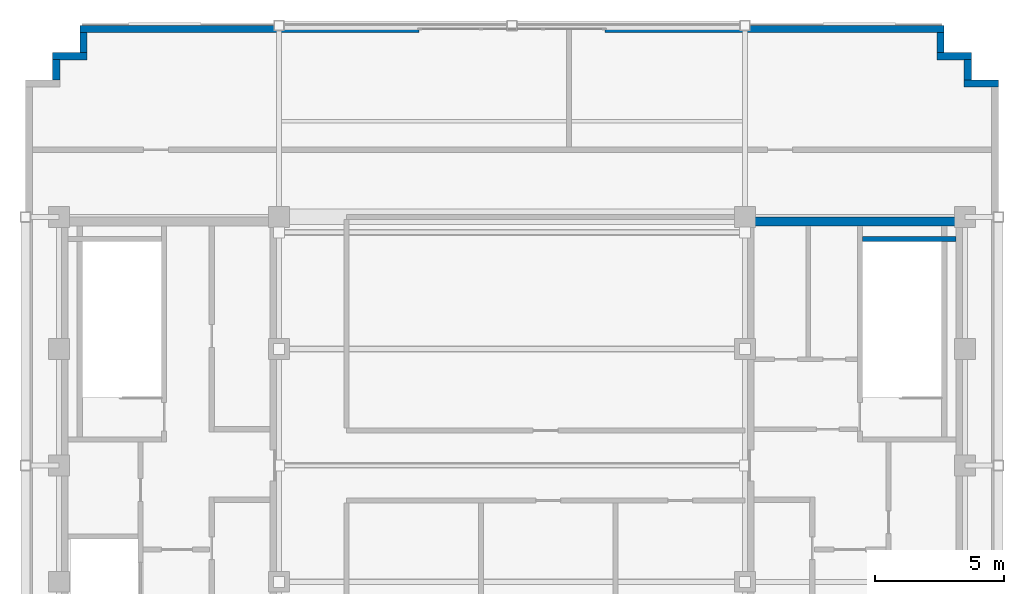
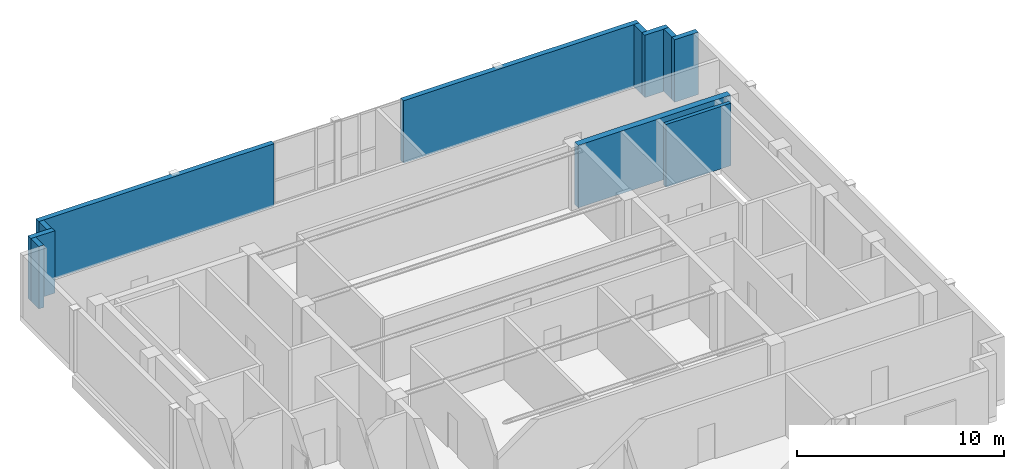
# One storey, part 4 of 7: 11 walls.
"""IFC4 building model written with IfcOpenShell, lengths in metres."""

import ifcopenshell
import ifcopenshell.guid

model = None  # the IFC model being written
_history = None  # IfcOwnerHistory: only IFC2X3 demands one
_inside = {}  # id of a spatial element -> (the spatial element, [elements in it])
_under = {}  # id of a project, library or spatial element -> (it, [spatial elements below it])
_declared = {}  # id of a project -> (the project, [libraries it declares])
_typed = {}  # id of a type object -> (the type object, [elements of that type])
_made_of = {}  # id of a material, layer set ... -> (it, [elements and type objects made of it])


def new_model(schema):
    """Start an empty IFC model of exactly this schema.

    Asked for "IFC4X3", IfcOpenShell would pick the latest addendum, in which some entities
    have other attributes; the version numbers below select the first issue.
    IFC2X3 requires an IfcOwnerHistory on every rooted entity: one is made here for all.
    """
    global model, _history
    if schema == "IFC4X3":
        model = ifcopenshell.file(schema_version=(4, 3, 0, 0))
    else:
        model = ifcopenshell.file(schema=schema)
    _inside.clear()
    _under.clear()
    _declared.clear()
    _typed.clear()
    _made_of.clear()
    _history = None
    if model.schema == "IFC2X3":
        org = make("IfcOrganization", Name="unknown")
        user = make(
            "IfcPersonAndOrganization",
            ThePerson=make("IfcPerson", FamilyName="unknown"),
            TheOrganization=org,
        )
        app = make(
            "IfcApplication",
            ApplicationDeveloper=org,
            Version="unknown",
            ApplicationFullName="unknown",
            ApplicationIdentifier="unknown",
        )
        _history = make(
            "IfcOwnerHistory",
            OwningUser=user,
            OwningApplication=app,
            ChangeAction="ADDED",
            CreationDate=0,
        )
    return model


def make(cls, **values):
    """One entity of the class cls with the attributes given. An attribute that is None is left unset."""
    return model.create_entity(
        cls, **{name: value for name, value in values.items() if value is not None}
    )


def rooted(cls, **values):
    """An entity with a GlobalId (a new one), such as an element, a storey or a relation."""
    return make(cls, GlobalId=ifcopenshell.guid.new(), OwnerHistory=_history, **values)


def si_unit(unit_type, name, prefix=None):
    """IfcSIUnit, for example si_unit("LENGTHUNIT", "METRE", prefix="MILLI")."""
    return make("IfcSIUnit", UnitType=unit_type, Prefix=prefix, Name=name)


def assignment(units):
    """IfcUnitAssignment: the units of a project."""
    return None if units is None else make("IfcUnitAssignment", Units=units)


def point(xyz):
    """IfcCartesianPoint."""
    return None if xyz is None else make("IfcCartesianPoint", Coordinates=xyz)


def direction(xyz):
    """IfcDirection."""
    return None if xyz is None else make("IfcDirection", DirectionRatios=xyz)


def frame(location, z_axis=None, x_axis=None):
    """IfcAxis2Placement3D, a coordinate frame: its origin and axes. An axis left out is left unset."""
    return make(
        "IfcAxis2Placement3D",
        Location=point(location),
        Axis=direction(z_axis),
        RefDirection=direction(x_axis),
    )


def frame_2d(location, x_axis=None):
    """IfcAxis2Placement2D, a coordinate frame in the plane: its origin and x axis."""
    return make(
        "IfcAxis2Placement2D", Location=point(location), RefDirection=direction(x_axis)
    )


def origin():
    """The frame at (0, 0, 0) with its axes left unset."""
    return frame((0.0, 0.0, 0.0))


def place(relative_to, where):
    """IfcLocalPlacement: puts the frame where relative to a parent placement (None: the world)."""
    return make(
        "IfcLocalPlacement", PlacementRelTo=relative_to, RelativePlacement=where
    )


def context(
    kind, dimensions, precision=None, world=None, true_north=None, identifier=None
):
    """IfcGeometricRepresentationContext, for example the 3D "Model" context."""
    return make(
        "IfcGeometricRepresentationContext",
        ContextIdentifier=identifier,
        ContextType=kind,
        CoordinateSpaceDimension=dimensions,
        Precision=precision,
        WorldCoordinateSystem=world,
        TrueNorth=true_north,
    )


def subcontext(parent, identifier, kind, view, scale=None):
    """IfcGeometricRepresentationSubContext, for example "Body" below "Model"."""
    return make(
        "IfcGeometricRepresentationSubContext",
        ContextIdentifier=identifier,
        ContextType=kind,
        ParentContext=parent,
        TargetScale=scale,
        TargetView=view,
    )


def project(units=None, contexts=None):
    """IfcProject with its units and contexts."""
    return rooted(
        "IfcProject",
        Name="project",
        RepresentationContexts=contexts,
        UnitsInContext=assignment(units),
    )


def spatial(cls, under=None, at=None, **own):
    """A site, building, storey or space (cls), placed at a placement, below another one or the project."""
    s = rooted(cls, ObjectPlacement=at, **own)
    if under is not None:
        _under.setdefault(under.id(), (under, []))[1].append(s)
    return s


def profile(cls, at=None, kind="AREA", **sizes):
    """A parametric profile (cls). Its sizes go by their IFC names, for example OverallWidth=200.0."""
    return make(cls, ProfileType=kind, Position=at, **sizes)


def rectangle(**sizes):
    """IfcRectangleProfileDef."""
    return profile("IfcRectangleProfileDef", **sizes)


def extrude(swept, where, along, depth):
    """IfcExtrudedAreaSolid: the profile swept, set in the frame where, extruded along a direction by depth."""
    return make(
        "IfcExtrudedAreaSolid",
        SweptArea=swept,
        Position=where,
        ExtrudedDirection=direction(along),
        Depth=depth,
    )


def shape(context_of_items, identifier, shape_type, items):
    """IfcShapeRepresentation: the items that make up one representation, for example the "Body"."""
    return make(
        "IfcShapeRepresentation",
        ContextOfItems=context_of_items,
        RepresentationIdentifier=identifier,
        RepresentationType=shape_type,
        Items=items,
    )


def material(Name=None, Category=None):
    """IfcMaterial."""
    return make("IfcMaterial", Name=Name, Category=Category)


def layer(
    of_material, thickness, ventilated=None, Name=None, Category=None, Priority=None
):
    """IfcMaterialLayer: one layer of a wall or slab, of a material (None: an air gap)."""
    return make(
        "IfcMaterialLayer",
        Material=of_material,
        LayerThickness=thickness,
        IsVentilated=ventilated,
        Name=Name,
        Category=Category,
        Priority=Priority,
    )


def layer_set(layers, Name=None):
    """IfcMaterialLayerSet."""
    return make("IfcMaterialLayerSet", MaterialLayers=layers, LayerSetName=Name)


def made_of(thing, what):
    """Note that an element or type object is made of a material, layer set ...; save() writes the relation."""
    if what is not None:
        _made_of.setdefault(what.id(), (what, []))[1].append(thing)
    return thing


def type_object(cls, material=None, **own):
    """A type object (cls), such as IfcWallType, which elements share."""
    return made_of(rooted(cls, **own), material)


def element(
    cls,
    number,
    at=None,
    inside=None,
    cuts=None,
    type_object=None,
    material=None,
    context=None,
    identifier="Body",
    shape_type=None,
    held_by="IfcProductDefinitionShape",
    body=None,
    shapes=None,
    **own,
):
    """One element of the class cls, such as IfcWall. Its Tag is "e" and its number.

    at: its placement. inside: the storey or other place that contains it. cuts: it is an
    opening in that element (IfcRelVoidsElement). A single representation is given by context,
    identifier, shape_type and body (its items); several are given by shapes. held_by: the class
    of the entity that holds the representations. save() writes the other relations.
    """
    e = rooted(cls, Tag="e%d" % number, ObjectPlacement=at, **own)
    if body is not None:
        shapes = [shape(context, identifier, shape_type, body)]
    if shapes is not None:
        e.Representation = make(held_by, Representations=shapes)
    if inside is not None:
        _inside.setdefault(inside.id(), (inside, []))[1].append(e)
    if cuts is not None:
        rooted(
            "IfcRelVoidsElement", RelatingBuildingElement=cuts, RelatedOpeningElement=e
        )
    if type_object is not None:
        _typed.setdefault(type_object.id(), (type_object, []))[1].append(e)
    return made_of(e, material)


def aggregate(whole, parts):
    """IfcRelAggregates: a whole, such as a stair, and the parts it consists of."""
    return rooted("IfcRelAggregates", RelatingObject=whole, RelatedObjects=parts)


def save(model, path):
    """Write the relations noted so far, then the file.

    IfcRelAggregates (storeys below a building ...), IfcRelContainedInSpatialStructure (elements
    in a storey), IfcRelDefinesByType, IfcRelAssociatesMaterial and IfcRelDeclares: one each for
    every whole, place, type object, material and project.
    """
    for whole, parts in _under.values():
        aggregate(whole, parts)
    for where, things in _inside.values():
        rooted(
            "IfcRelContainedInSpatialStructure",
            RelatedElements=things,
            RelatingStructure=where,
        )
    for kind, things in _typed.values():
        rooted("IfcRelDefinesByType", RelatedObjects=things, RelatingType=kind)
    for what, things in _made_of.values():
        rooted("IfcRelAssociatesMaterial", RelatedObjects=things, RelatingMaterial=what)
    for by, libraries in _declared.values():
        rooted("IfcRelDeclares", RelatingContext=by, RelatedDefinitions=libraries)
    model.write(path)


model = new_model("IFC4")

# Units and contexts
model_context = context("Model", 3, precision=1e-05, world=origin(), true_north=direction((0.0, 1.0)))
body_context = subcontext(model_context, "Body", "Model", "MODEL_VIEW")
ifc_project = project(units=[si_unit("LENGTHUNIT", "METRE"), si_unit("AREAUNIT", "SQUARE_METRE"), si_unit("VOLUMEUNIT", "CUBIC_METRE"), si_unit("PLANEANGLEUNIT", "RADIAN"), si_unit("MASSUNIT", "GRAM", prefix="KILO")], contexts=[model_context])

# Site, building, storey
site_placement = place(None, origin())
site = spatial("IfcSite", under=ifc_project, at=site_placement, CompositionType="ELEMENT")
building_placement = place(site_placement, origin())
building = spatial("IfcBuilding", under=site, at=building_placement, Name="Nuvemarco Arch Tower", CompositionType="ELEMENT")
storey_placement = place(building_placement, frame((0.0, 0.0, 307.14990234375)))
storey = spatial("IfcBuildingStorey", under=building, at=storey_placement, Name="L81", CompositionType="ELEMENT", Elevation=307.14990234375)

# Walls
ifc_material_1 = material(Name="Precast concrete C45/55", Category="concrete")
ifc_layer_1 = layer(ifc_material_1, 0.280029296875, Name="EW-CRN-280")
ifc_layer_set_1 = layer_set([ifc_layer_1], Name="Precast concrete C45/55")
wall_type_1 = type_object("IfcWallType", Name="EW-CRN-280", PredefinedType="STANDARD", material=ifc_layer_set_1)
wall_1_placement = place(storey_placement, frame((17.469970703125, 14.760009765625, 0.0), z_axis=(0.0, 0.0, 1.0), x_axis=(1.0, 0.0, 0.0)))
element("IfcWall", 1, at=wall_1_placement, inside=storey, type_object=wall_type_1, Name="L81 exterior precast facade wall 7", PredefinedType="STANDARD", context=body_context, shape_type="SweptSolid", body=[
    extrude(rectangle(XDim=1.330078125, YDim=0.280029296875, at=frame_2d((0.6650390625, 0.0))), origin(), (0.0, 0.0, 1.0), 3.670166015625),
])
wall_2_placement = place(storey_placement, frame((17.610107421875, 14.89599609375, 0.0), z_axis=(0.0, 0.0, 1.0), x_axis=(0.0, 1.0, 0.0)))
element("IfcWall", 2, at=wall_2_placement, inside=storey, type_object=wall_type_1, Name="L81 exterior precast facade wall 8", PredefinedType="STANDARD", context=body_context, shape_type="SweptSolid", body=[
    extrude(rectangle(XDim=0.778076171875, YDim=0.280029296875, at=frame_2d((0.38916015625, 0.0))), origin(), (0.0, 0.0, 1.0), 3.670166015625),
])
wall_3_placement = place(storey_placement, frame((16.419921875, 15.81005859375, 0.0), z_axis=(0.0, 0.0, 1.0), x_axis=(1.0, 0.0, 0.0)))
element("IfcWall", 3, at=wall_3_placement, inside=storey, type_object=wall_type_1, Name="L81 exterior precast facade wall 9", PredefinedType="STANDARD", context=body_context, shape_type="SweptSolid", body=[
    extrude(rectangle(XDim=1.330078125, YDim=0.280029296875, at=frame_2d((0.6650390625, 0.0))), origin(), (0.0, 0.0, 1.0), 3.670166015625),
])
wall_4_placement = place(storey_placement, frame((16.56005859375, 15.946044921875, 0.0), z_axis=(0.0, 0.0, 1.0), x_axis=(0.0, 1.0, 0.0)))
element("IfcWall", 4, at=wall_4_placement, inside=storey, type_object=wall_type_1, Name="L81 exterior precast facade wall 10", PredefinedType="STANDARD", context=body_context, shape_type="SweptSolid", body=[
    extrude(rectangle(XDim=0.778076171875, YDim=0.280029296875, at=frame_2d((0.38916015625, 0.0))), origin(), (0.0, 0.0, 1.0), 3.670166015625),
])
for number, where, z_axis, x_axis, name in (
    (5, (-16.699951171875, 16.860107421875, 0.0), (0.0, 0.0, 1.0), (1.0, 0.0, 0.0), "L81 exterior precast pier wall north left"),
    (6, (3.60009765625, 16.860107421875, 0.0), (0.0, 0.0, 1.0), (1.0, 0.0, 0.0), "L81 exterior precast pier wall north right"),
):
    element("IfcWall", number, at=place(storey_placement, frame(where, z_axis=z_axis, x_axis=x_axis)), inside=storey, type_object=wall_type_1, Name=name, PredefinedType="STANDARD", context=body_context, shape_type="SweptSolid", body=[
        extrude(rectangle(XDim=13.099853515625, YDim=0.280029296875, at=frame_2d((6.5498046875, 0.0))), origin(), (0.0, 0.0, 1.0), 3.670166015625),
    ])
wall_5_placement = place(storey_placement, frame((-16.56005859375, 15.946044921875, 0.0), z_axis=(0.0, 0.0, 1.0), x_axis=(0.0, 1.0, 0.0)))
element("IfcWall", 7, at=wall_5_placement, inside=storey, type_object=wall_type_1, Name="L81 exterior precast facade wall 12", PredefinedType="STANDARD", context=body_context, shape_type="SweptSolid", body=[
    extrude(rectangle(XDim=0.778076171875, YDim=0.280029296875, at=frame_2d((0.38916015625, 0.0))), origin(), (0.0, 0.0, 1.0), 3.670166015625),
])
wall_6_placement = place(storey_placement, frame((-17.75, 15.81005859375, 0.0), z_axis=(0.0, 0.0, 1.0), x_axis=(1.0, 0.0, 0.0)))
element("IfcWall", 8, at=wall_6_placement, inside=storey, type_object=wall_type_1, Name="L81 exterior precast facade wall 13", PredefinedType="STANDARD", context=body_context, shape_type="SweptSolid", body=[
    extrude(rectangle(XDim=1.330078125, YDim=0.280029296875, at=frame_2d((0.6650390625, 0.0))), origin(), (0.0, 0.0, 1.0), 3.670166015625),
])
wall_7_placement = place(storey_placement, frame((-17.610107421875, 14.89599609375, 0.0), z_axis=(0.0, 0.0, 1.0), x_axis=(0.0, 1.0, 0.0)))
element("IfcWall", 9, at=wall_7_placement, inside=storey, type_object=wall_type_1, Name="L81 exterior precast facade wall 14", PredefinedType="STANDARD", context=body_context, shape_type="SweptSolid", body=[
    extrude(rectangle(XDim=0.778076171875, YDim=0.280029296875, at=frame_2d((0.38916015625, 0.0))), origin(), (0.0, 0.0, 1.0), 3.670166015625),
])
ifc_material_2 = material(Name="Concrete C50/60", Category="concrete")
ifc_layer_2 = layer(ifc_material_2, 0.35009765625, Name="WL-CORE-350")
ifc_layer_set_2 = layer_set([ifc_layer_2], Name="Concrete C50/60")
wall_type_2 = type_object("IfcWallType", Name="WL-CORE-350", PredefinedType="SHEAR", material=ifc_layer_set_2)
wall_8_placement = place(storey_placement, frame((9.0, 9.425048828125, 0.0), z_axis=(0.0, 0.0, 1.0), x_axis=(1.0, 0.0, 0.0)))
element("IfcWall", 10, at=wall_8_placement, inside=storey, type_object=wall_type_2, Name="L81 E-core shear wall N", PredefinedType="SHEAR", context=body_context, shape_type="SweptSolid", body=[
    extrude(rectangle(XDim=8.5, YDim=0.35009765625, at=frame_2d((4.25, 0.0))), origin(), (0.0, 0.0, 1.0), 3.68017578125),
])
ifc_layer_3 = layer(ifc_material_2, 0.199951171875, Name="WL-SHAFT-220")
ifc_layer_set_3 = layer_set([ifc_layer_3], Name="Concrete C50/60")
wall_type_3 = type_object("IfcWallType", Name="WL-SHAFT-220", PredefinedType="SHEAR", material=ifc_layer_set_3)
wall_9_placement = place(storey_placement, frame((13.534912109375, 8.75, 0.0), z_axis=(0.0, 0.0, 1.0), x_axis=(1.0, 0.0, 0.0)))
element("IfcWall", 11, at=wall_9_placement, inside=storey, type_object=wall_type_3, Name="L81 structural shaft wall SW-L81-E-ST2N", PredefinedType="SHEAR", context=body_context, shape_type="SweptSolid", body=[
    extrude(rectangle(XDim=3.6201171875, YDim=0.199951171875, at=frame_2d((1.81005859375, 0.0))), origin(), (0.0, 0.0, 1.0), 3.68017578125),
])

save(model, "model.ifc")
